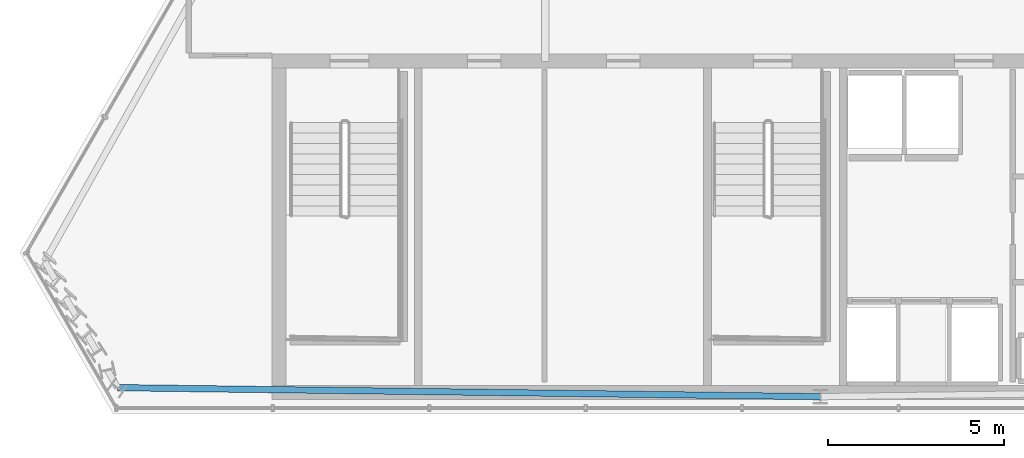
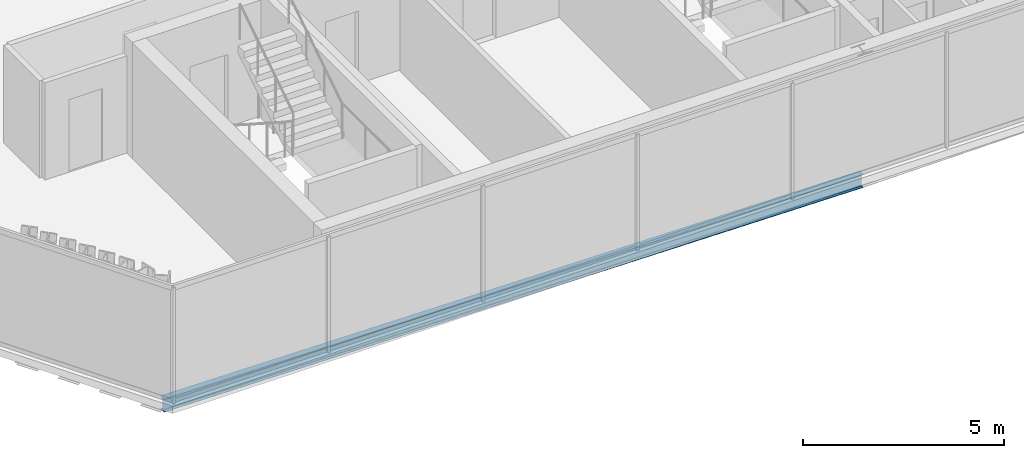
# One storey, part 4 of 35: 1 beam.
"""IFC4 building model written with IfcOpenShell, lengths in metres."""

from ifc_helpers import new_model, si_unit, direction, frame, origin, origin_2d, place, context, subcontext, project, spatial, i_section, extrude, material, material_profile, profile_set, type_object, element, save


model = new_model("IFC4")

# Units and contexts
model_context = context("Model", 3, precision=1e-05, world=origin(), true_north=direction((0.0, 1.0)))
body_context = subcontext(model_context, "Body", "Model", "MODEL_VIEW")
ifc_project = project(units=[si_unit("LENGTHUNIT", "METRE"), si_unit("AREAUNIT", "SQUARE_METRE"), si_unit("VOLUMEUNIT", "CUBIC_METRE"), si_unit("PLANEANGLEUNIT", "RADIAN"), si_unit("MASSUNIT", "GRAM", prefix="KILO")], contexts=[model_context])

# Site, building, storey
site_placement = place(None, origin())
site = spatial("IfcSite", under=ifc_project, at=site_placement, CompositionType="ELEMENT")
building_placement = place(site_placement, origin())
building = spatial("IfcBuilding", under=site, at=building_placement, Name="Ndaravel Arena Tower", CompositionType="ELEMENT")
storey_placement = place(building_placement, frame((0.0, 0.0, 275.0)))
storey = spatial("IfcBuildingStorey", under=building, at=storey_placement, Name="L67", CompositionType="ELEMENT", Elevation=275.0)

# Beam
ifc_material = material(Name="Steel S355", Category="steel")
ifc_material_profile = material_profile(ifc_material, i_section(OverallWidth=0.179931640625, OverallDepth=0.39990234375, WebThickness=0.008544921875, FlangeThickness=0.013427734375, FilletRadius=0.02099609375, at=origin_2d()), Name="IPE 400")
ifc_profile_set = profile_set([ifc_material_profile], Name="Steel S355")
beam_type = type_object("IfcBeamType", Name="BM-SPAN-IPE400", PredefinedType="SPANDREL", material=ifc_profile_set)
beam_placement = place(storey_placement, frame((22.078125, 5.735595703125, -0.419921875), z_axis=(0.999917694391, -0.012829826299, 0.0), x_axis=(0.012829826299, 0.999917694391, 0.0)))
element("IfcBeam", 1, at=beam_placement, inside=storey, type_object=beam_type, Name="L67 Perimeter Spandrel Beam SP-27", PredefinedType="SPANDREL", context=body_context, shape_type="SweptSolid", body=[
    extrude(i_section(OverallWidth=0.179931640625, OverallDepth=0.39990234375, WebThickness=0.008544921875, FlangeThickness=0.013427734375, FilletRadius=0.02099609375, at=origin_2d()), origin(), (0.0, 0.0, 1.0), 19.923583984375),
])

save(model, "model.ifc")
